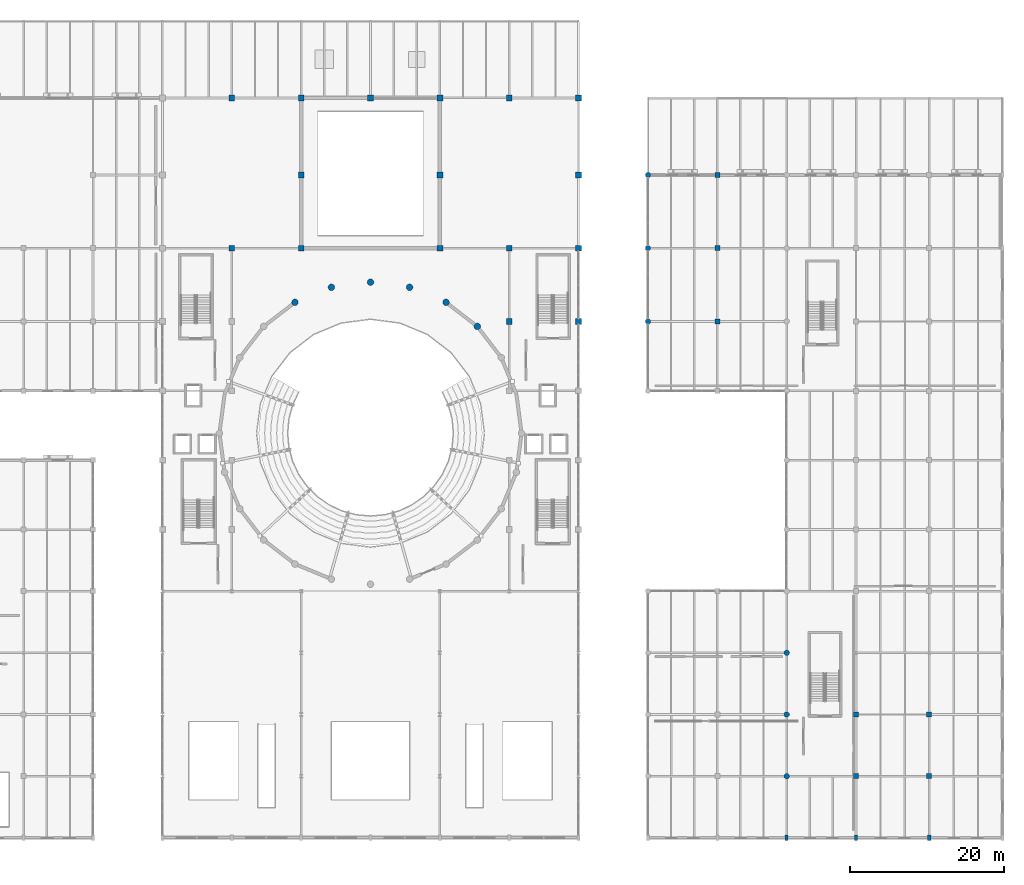
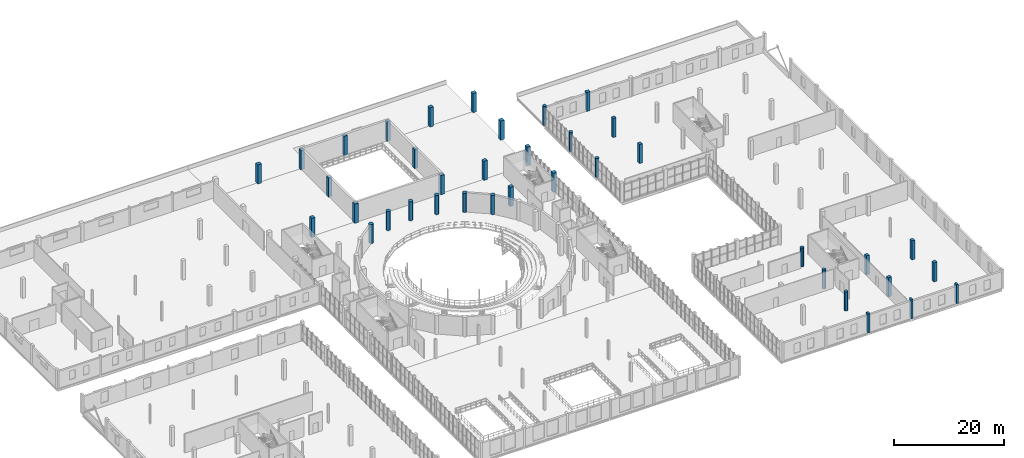
# One storey, part 15 of 85: 38 columns.
"""IFC4 building model written with IfcOpenShell, lengths in metres."""

import ifcopenshell
import ifcopenshell.guid

model = None  # the IFC model being written
_history = None  # IfcOwnerHistory: only IFC2X3 demands one
_inside = {}  # id of a spatial element -> (the spatial element, [elements in it])
_under = {}  # id of a project, library or spatial element -> (it, [spatial elements below it])
_declared = {}  # id of a project -> (the project, [libraries it declares])
_typed = {}  # id of a type object -> (the type object, [elements of that type])
_made_of = {}  # id of a material, layer set ... -> (it, [elements and type objects made of it])


def new_model(schema):
    """Start an empty IFC model of exactly this schema.

    Asked for "IFC4X3", IfcOpenShell would pick the latest addendum, in which some entities
    have other attributes; the version numbers below select the first issue.
    IFC2X3 requires an IfcOwnerHistory on every rooted entity: one is made here for all.
    """
    global model, _history
    if schema == "IFC4X3":
        model = ifcopenshell.file(schema_version=(4, 3, 0, 0))
    else:
        model = ifcopenshell.file(schema=schema)
    _inside.clear()
    _under.clear()
    _declared.clear()
    _typed.clear()
    _made_of.clear()
    _history = None
    if model.schema == "IFC2X3":
        org = make("IfcOrganization", Name="unknown")
        user = make(
            "IfcPersonAndOrganization",
            ThePerson=make("IfcPerson", FamilyName="unknown"),
            TheOrganization=org,
        )
        app = make(
            "IfcApplication",
            ApplicationDeveloper=org,
            Version="unknown",
            ApplicationFullName="unknown",
            ApplicationIdentifier="unknown",
        )
        _history = make(
            "IfcOwnerHistory",
            OwningUser=user,
            OwningApplication=app,
            ChangeAction="ADDED",
            CreationDate=0,
        )
    return model


def make(cls, **values):
    """One entity of the class cls with the attributes given. An attribute that is None is left unset."""
    return model.create_entity(
        cls, **{name: value for name, value in values.items() if value is not None}
    )


def rooted(cls, **values):
    """An entity with a GlobalId (a new one), such as an element, a storey or a relation."""
    return make(cls, GlobalId=ifcopenshell.guid.new(), OwnerHistory=_history, **values)


def si_unit(unit_type, name, prefix=None):
    """IfcSIUnit, for example si_unit("LENGTHUNIT", "METRE", prefix="MILLI")."""
    return make("IfcSIUnit", UnitType=unit_type, Prefix=prefix, Name=name)


def assignment(units):
    """IfcUnitAssignment: the units of a project."""
    return None if units is None else make("IfcUnitAssignment", Units=units)


def point(xyz):
    """IfcCartesianPoint."""
    return None if xyz is None else make("IfcCartesianPoint", Coordinates=xyz)


def direction(xyz):
    """IfcDirection."""
    return None if xyz is None else make("IfcDirection", DirectionRatios=xyz)


def frame(location, z_axis=None, x_axis=None):
    """IfcAxis2Placement3D, a coordinate frame: its origin and axes. An axis left out is left unset."""
    return make(
        "IfcAxis2Placement3D",
        Location=point(location),
        Axis=direction(z_axis),
        RefDirection=direction(x_axis),
    )


def frame_2d(location, x_axis=None):
    """IfcAxis2Placement2D, a coordinate frame in the plane: its origin and x axis."""
    return make(
        "IfcAxis2Placement2D", Location=point(location), RefDirection=direction(x_axis)
    )


def origin():
    """The frame at (0, 0, 0) with its axes left unset."""
    return frame((0.0, 0.0, 0.0))


def origin_2d():
    """The frame at (0, 0) in the plane with its x axis left unset."""
    return frame_2d((0.0, 0.0))


def place(relative_to, where):
    """IfcLocalPlacement: puts the frame where relative to a parent placement (None: the world)."""
    return make(
        "IfcLocalPlacement", PlacementRelTo=relative_to, RelativePlacement=where
    )


def context(
    kind, dimensions, precision=None, world=None, true_north=None, identifier=None
):
    """IfcGeometricRepresentationContext, for example the 3D "Model" context."""
    return make(
        "IfcGeometricRepresentationContext",
        ContextIdentifier=identifier,
        ContextType=kind,
        CoordinateSpaceDimension=dimensions,
        Precision=precision,
        WorldCoordinateSystem=world,
        TrueNorth=true_north,
    )


def subcontext(parent, identifier, kind, view, scale=None):
    """IfcGeometricRepresentationSubContext, for example "Body" below "Model"."""
    return make(
        "IfcGeometricRepresentationSubContext",
        ContextIdentifier=identifier,
        ContextType=kind,
        ParentContext=parent,
        TargetScale=scale,
        TargetView=view,
    )


def project(units=None, contexts=None):
    """IfcProject with its units and contexts."""
    return rooted(
        "IfcProject",
        Name="project",
        RepresentationContexts=contexts,
        UnitsInContext=assignment(units),
    )


def spatial(cls, under=None, at=None, **own):
    """A site, building, storey or space (cls), placed at a placement, below another one or the project."""
    s = rooted(cls, ObjectPlacement=at, **own)
    if under is not None:
        _under.setdefault(under.id(), (under, []))[1].append(s)
    return s


def profile(cls, at=None, kind="AREA", **sizes):
    """A parametric profile (cls). Its sizes go by their IFC names, for example OverallWidth=200.0."""
    return make(cls, ProfileType=kind, Position=at, **sizes)


def rectangle(**sizes):
    """IfcRectangleProfileDef."""
    return profile("IfcRectangleProfileDef", **sizes)


def circle(**sizes):
    """IfcCircleProfileDef."""
    return profile("IfcCircleProfileDef", **sizes)


def extrude(swept, where, along, depth):
    """IfcExtrudedAreaSolid: the profile swept, set in the frame where, extruded along a direction by depth."""
    return make(
        "IfcExtrudedAreaSolid",
        SweptArea=swept,
        Position=where,
        ExtrudedDirection=direction(along),
        Depth=depth,
    )


def shape(context_of_items, identifier, shape_type, items):
    """IfcShapeRepresentation: the items that make up one representation, for example the "Body"."""
    return make(
        "IfcShapeRepresentation",
        ContextOfItems=context_of_items,
        RepresentationIdentifier=identifier,
        RepresentationType=shape_type,
        Items=items,
    )


def material(Name=None, Category=None):
    """IfcMaterial."""
    return make("IfcMaterial", Name=Name, Category=Category)


def material_profile(
    of_material, cross_section, Name=None, Category=None, Priority=None
):
    """IfcMaterialProfile: a cross section and its material."""
    return make(
        "IfcMaterialProfile",
        Name=Name,
        Material=of_material,
        Profile=cross_section,
        Priority=Priority,
        Category=Category,
    )


def profile_set(profiles, Name=None, composite=None):
    """IfcMaterialProfileSet."""
    return make(
        "IfcMaterialProfileSet",
        Name=Name,
        MaterialProfiles=profiles,
        CompositeProfile=composite,
    )


def made_of(thing, what):
    """Note that an element or type object is made of a material, layer set ...; save() writes the relation."""
    if what is not None:
        _made_of.setdefault(what.id(), (what, []))[1].append(thing)
    return thing


def type_object(cls, material=None, **own):
    """A type object (cls), such as IfcWallType, which elements share."""
    return made_of(rooted(cls, **own), material)


def element(
    cls,
    number,
    at=None,
    inside=None,
    cuts=None,
    type_object=None,
    material=None,
    context=None,
    identifier="Body",
    shape_type=None,
    held_by="IfcProductDefinitionShape",
    body=None,
    shapes=None,
    **own,
):
    """One element of the class cls, such as IfcWall. Its Tag is "e" and its number.

    at: its placement. inside: the storey or other place that contains it. cuts: it is an
    opening in that element (IfcRelVoidsElement). A single representation is given by context,
    identifier, shape_type and body (its items); several are given by shapes. held_by: the class
    of the entity that holds the representations. save() writes the other relations.
    """
    e = rooted(cls, Tag="e%d" % number, ObjectPlacement=at, **own)
    if body is not None:
        shapes = [shape(context, identifier, shape_type, body)]
    if shapes is not None:
        e.Representation = make(held_by, Representations=shapes)
    if inside is not None:
        _inside.setdefault(inside.id(), (inside, []))[1].append(e)
    if cuts is not None:
        rooted(
            "IfcRelVoidsElement", RelatingBuildingElement=cuts, RelatedOpeningElement=e
        )
    if type_object is not None:
        _typed.setdefault(type_object.id(), (type_object, []))[1].append(e)
    return made_of(e, material)


def aggregate(whole, parts):
    """IfcRelAggregates: a whole, such as a stair, and the parts it consists of."""
    return rooted("IfcRelAggregates", RelatingObject=whole, RelatedObjects=parts)


def save(model, path):
    """Write the relations noted so far, then the file.

    IfcRelAggregates (storeys below a building ...), IfcRelContainedInSpatialStructure (elements
    in a storey), IfcRelDefinesByType, IfcRelAssociatesMaterial and IfcRelDeclares: one each for
    every whole, place, type object, material and project.
    """
    for whole, parts in _under.values():
        aggregate(whole, parts)
    for where, things in _inside.values():
        rooted(
            "IfcRelContainedInSpatialStructure",
            RelatedElements=things,
            RelatingStructure=where,
        )
    for kind, things in _typed.values():
        rooted("IfcRelDefinesByType", RelatedObjects=things, RelatingType=kind)
    for what, things in _made_of.values():
        rooted("IfcRelAssociatesMaterial", RelatedObjects=things, RelatingMaterial=what)
    for by, libraries in _declared.values():
        rooted("IfcRelDeclares", RelatingContext=by, RelatedDefinitions=libraries)
    model.write(path)


model = new_model("IFC4")

# Units and contexts
model_context = context("Model", 3, precision=1e-05, world=origin(), true_north=direction((0.0, 1.0)))
body_context = subcontext(model_context, "Body", "Model", "MODEL_VIEW")
ifc_project = project(units=[si_unit("LENGTHUNIT", "METRE"), si_unit("AREAUNIT", "SQUARE_METRE"), si_unit("VOLUMEUNIT", "CUBIC_METRE"), si_unit("PLANEANGLEUNIT", "RADIAN"), si_unit("MASSUNIT", "GRAM", prefix="KILO")], contexts=[model_context])

# Site, building, storey
site_placement = place(None, origin())
site = spatial("IfcSite", under=ifc_project, at=site_placement, CompositionType="ELEMENT")
building_placement = place(site_placement, origin())
building = spatial("IfcBuilding", under=site, at=building_placement, Name="Marnock Terrace Opera House", CompositionType="ELEMENT")
storey_placement = place(building_placement, frame((0.0, 0.0, 10.199951171875)))
storey = spatial("IfcBuildingStorey", under=building, at=storey_placement, Name="L02", CompositionType="ELEMENT", Elevation=10.199951171875)

# Columns
ifc_material_1 = material(Name="Concrete N50 (f'c = 50 MPa)", Category="concrete")
ifc_material_profile_1 = material_profile(ifc_material_1, circle(Radius=0.425048828125, at=origin_2d()))
ifc_profile_set_1 = profile_set([ifc_material_profile_1], Name="Concrete N50 (f'c = 50 MPa)")
column_type_1 = type_object("IfcColumnType", Name="COL-DRUM-850", PredefinedType="COLUMN", material=ifc_profile_set_1)
for number, where, z_axis, x_axis, name in (
    (1, (95.85888671875, 74.35888671875, 0.0), (0.0, 0.0, 1.0), (1.0, 0.0, 0.0), "L02 auditorium drum pier 4"),
    (2, (91.800048828125, 77.47412109375, 0.0), (0.0, 0.0, 1.0), (1.0, 0.0, 0.0), "L02 auditorium drum pier 5"),
    (3, (87.072998046875, 79.431884765625, 0.0), (0.0, 0.0, 1.0), (1.0, 0.0, 0.0), "L02 auditorium drum pier 6"),
    (4, (82.0, 80.10009765625, 0.0), (0.0, 0.0, 1.0), (1.0, 0.0, 0.0), "L02 auditorium drum pier 7"),
    (5, (76.927001953125, 79.431884765625, 0.0), (0.0, 0.0, 1.0), (1.0, 0.0, 0.0), "L02 auditorium drum pier 8"),
    (6, (72.199951171875, 77.47412109375, 0.0), (0.0, 0.0, 1.0), (1.0, 0.0, 0.0), "L02 auditorium drum pier 9"),
):
    element("IfcColumn", number, at=place(storey_placement, frame(where, z_axis=z_axis, x_axis=x_axis)), inside=storey, type_object=column_type_1, Name=name, PredefinedType="COLUMN", context=body_context, shape_type="SweptSolid", body=[
        extrude(circle(Radius=0.425048828125, at=origin_2d()), origin(), (0.0, 0.0, 1.0), 4.239990234375),
    ])
ifc_material_2 = material(Name="Concrete N40 (f'c = 40 MPa)", Category="concrete")
ifc_material_profile_2 = material_profile(ifc_material_2, circle(Radius=0.35009765625, at=origin_2d()))
ifc_profile_set_2 = profile_set([ifc_material_profile_2], Name="Concrete N40 (f'c = 40 MPa)")
column_type_2 = type_object("IfcColumnType", Name="COL-LOGGIA-700", PredefinedType="COLUMN", material=ifc_profile_set_2)
for number, where, z_axis, x_axis, name in (
    (7, (118.0, 75.0, 0.0), (0.0, 0.0, 1.0), (1.0, 0.0, 0.0), "L02 column at (118.0, 75.0)"),
    (8, (118.0, 84.5, 0.0), (0.0, 0.0, 1.0), (1.0, 0.0, 0.0), "L02 column at (118.0, 84.5)"),
    (9, (118.0, 94.0, 0.0), (0.0, 0.0, 1.0), (1.0, 0.0, 0.0), "L02 column at (118.0, 94.0)"),
    (10, (136.0, 16.0, 0.0), (0.0, 0.0, 1.0), (1.0, 0.0, 0.0), "L02 column at (136.0, 16.0)"),
    (11, (136.0, 24.0, 0.0), (0.0, 0.0, 1.0), (1.0, 0.0, 0.0), "L02 column at (136.0, 24.0)"),
    (12, (136.0, 32.0, 0.0), (0.0, 0.0, 1.0), (1.0, 0.0, 0.0), "L02 column at (136.0, 32.0)"),
):
    element("IfcColumn", number, at=place(storey_placement, frame(where, z_axis=z_axis, x_axis=x_axis)), inside=storey, type_object=column_type_2, Name=name, PredefinedType="COLUMN", context=body_context, shape_type="SweptSolid", body=[
        extrude(circle(Radius=0.35009765625, at=origin_2d()), origin(), (0.0, 0.0, 1.0), 4.239990234375),
    ])
ifc_material_profile_3 = material_profile(ifc_material_2, rectangle(XDim=0.39990234375, YDim=0.699951171875, at=origin_2d()))
ifc_profile_set_3 = profile_set([ifc_material_profile_3], Name="Concrete N40 (f'c = 40 MPa)")
column_type_3 = type_object("IfcColumnType", Name="COL-PIL-700", PredefinedType="PILASTER", material=ifc_profile_set_3)
for number, where, z_axis, x_axis, name in (
    (13, (136.0, 8.0, 0.0), (0.0, 0.0, 1.0), (1.0, 0.0, 0.0), "L02 column at (136.0, 8.0)"),
    (14, (145.0, 8.0, 0.0), (0.0, 0.0, 1.0), (1.0, 0.0, 0.0), "L02 column at (145.0, 8.0)"),
    (15, (154.5, 8.0, 0.0), (0.0, 0.0, 1.0), (1.0, 0.0, 0.0), "L02 column at (154.5, 8.0)"),
):
    element("IfcColumn", number, at=place(storey_placement, frame(where, z_axis=z_axis, x_axis=x_axis)), inside=storey, type_object=column_type_3, Name=name, PredefinedType="PILASTER", context=body_context, shape_type="SweptSolid", body=[
        extrude(rectangle(XDim=0.39990234375, YDim=0.699951171875, at=origin_2d()), origin(), (0.0, 0.0, 1.0), 4.239990234375),
    ])
ifc_material_profile_4 = material_profile(ifc_material_2, rectangle(XDim=0.64990234375, YDim=0.64990234375, at=origin_2d()))
ifc_profile_set_4 = profile_set([ifc_material_profile_4], Name="Concrete N40 (f'c = 40 MPa)")
column_type_4 = type_object("IfcColumnType", Name="COL-RC650", PredefinedType="COLUMN", material=ifc_profile_set_4)
for number, where, z_axis, x_axis, name in (
    (16, (127.0, 75.0, 0.0), (0.0, 0.0, 1.0), (1.0, 0.0, 0.0), "L02 column at (127.0, 75.0)"),
    (17, (127.0, 84.5, 0.0), (0.0, 0.0, 1.0), (1.0, 0.0, 0.0), "L02 column at (127.0, 84.5)"),
    (18, (127.0, 94.0, 0.0), (0.0, 0.0, 1.0), (1.0, 0.0, 0.0), "L02 column at (127.0, 94.0)"),
    (19, (145.0, 16.0, 0.0), (0.0, 0.0, 1.0), (1.0, 0.0, 0.0), "L02 column at (145.0, 16.0)"),
    (20, (145.0, 24.0, 0.0), (0.0, 0.0, 1.0), (1.0, 0.0, 0.0), "L02 column at (145.0, 24.0)"),
    (21, (154.5, 16.0, 0.0), (0.0, 0.0, 1.0), (1.0, 0.0, 0.0), "L02 column at (154.5, 16.0)"),
    (22, (154.5, 24.0, 0.0), (0.0, 0.0, 1.0), (1.0, 0.0, 0.0), "L02 column at (154.5, 24.0)"),
):
    element("IfcColumn", number, at=place(storey_placement, frame(where, z_axis=z_axis, x_axis=x_axis)), inside=storey, type_object=column_type_4, Name=name, PredefinedType="COLUMN", context=body_context, shape_type="SweptSolid", body=[
        extrude(rectangle(XDim=0.64990234375, YDim=0.64990234375, at=origin_2d()), origin(), (0.0, 0.0, 1.0), 4.239990234375),
    ])
ifc_material_profile_5 = material_profile(ifc_material_1, rectangle(XDim=0.75, YDim=0.75, at=origin_2d()))
ifc_profile_set_5 = profile_set([ifc_material_profile_5], Name="Concrete N50 (f'c = 50 MPa)")
column_type_5 = type_object("IfcColumnType", Name="COL-RC750", PredefinedType="COLUMN", material=ifc_profile_set_5)
for number, where, z_axis, x_axis, name in (
    (23, (64.0, 84.5, 0.0), (0.0, 0.0, 1.0), (1.0, 0.0, 0.0), "L02 column at (64.0, 84.5)"),
    (24, (64.0, 104.0, 0.0), (0.0, 0.0, 1.0), (1.0, 0.0, 0.0), "L02 column at (64.0, 104.0)"),
    (25, (73.0, 84.5, 0.0), (0.0, 0.0, 1.0), (1.0, 0.0, 0.0), "L02 column at (73.0, 84.5)"),
    (26, (73.0, 94.0, 0.0), (0.0, 0.0, 1.0), (1.0, 0.0, 0.0), "L02 column at (73.0, 94.0)"),
    (27, (73.0, 104.0, 0.0), (0.0, 0.0, 1.0), (1.0, 0.0, 0.0), "L02 column at (73.0, 104.0)"),
    (28, (82.0, 104.0, 0.0), (0.0, 0.0, 1.0), (1.0, 0.0, 0.0), "L02 column at (82.0, 104.0)"),
    (29, (91.0, 84.5, 0.0), (0.0, 0.0, 1.0), (1.0, 0.0, 0.0), "L02 column at (91.0, 84.5)"),
    (30, (91.0, 94.0, 0.0), (0.0, 0.0, 1.0), (1.0, 0.0, 0.0), "L02 column at (91.0, 94.0)"),
    (31, (91.0, 104.0, 0.0), (0.0, 0.0, 1.0), (1.0, 0.0, 0.0), "L02 column at (91.0, 104.0)"),
    (32, (100.0, 75.0, 0.0), (0.0, 0.0, 1.0), (1.0, 0.0, 0.0), "L02 column at (100.0, 75.0)"),
    (33, (100.0, 84.5, 0.0), (0.0, 0.0, 1.0), (1.0, 0.0, 0.0), "L02 column at (100.0, 84.5)"),
    (34, (100.0, 104.0, 0.0), (0.0, 0.0, 1.0), (1.0, 0.0, 0.0), "L02 column at (100.0, 104.0)"),
    (35, (109.0, 75.0, 0.0), (0.0, 0.0, 1.0), (1.0, 0.0, 0.0), "L02 column at (109.0, 75.0)"),
    (36, (109.0, 84.5, 0.0), (0.0, 0.0, 1.0), (1.0, 0.0, 0.0), "L02 column at (109.0, 84.5)"),
    (37, (109.0, 94.0, 0.0), (0.0, 0.0, 1.0), (1.0, 0.0, 0.0), "L02 column at (109.0, 94.0)"),
    (38, (109.0, 104.0, 0.0), (0.0, 0.0, 1.0), (1.0, 0.0, 0.0), "L02 column at (109.0, 104.0)"),
):
    element("IfcColumn", number, at=place(storey_placement, frame(where, z_axis=z_axis, x_axis=x_axis)), inside=storey, type_object=column_type_5, Name=name, PredefinedType="COLUMN", context=body_context, shape_type="SweptSolid", body=[
        extrude(rectangle(XDim=0.75, YDim=0.75, at=origin_2d()), origin(), (0.0, 0.0, 1.0), 4.239990234375),
    ])

save(model, "model.ifc")
